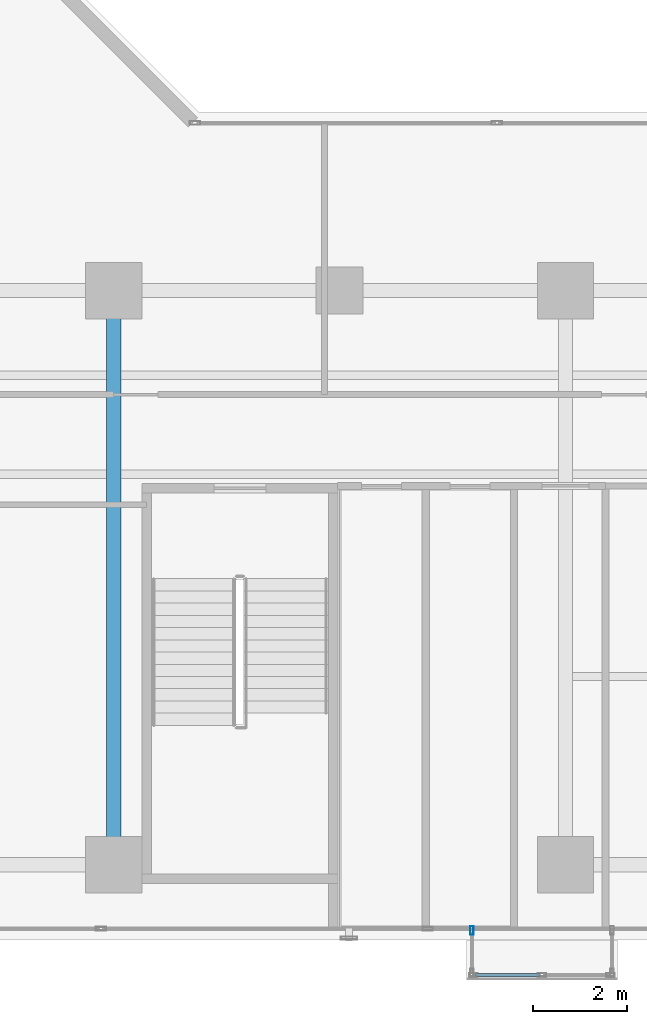
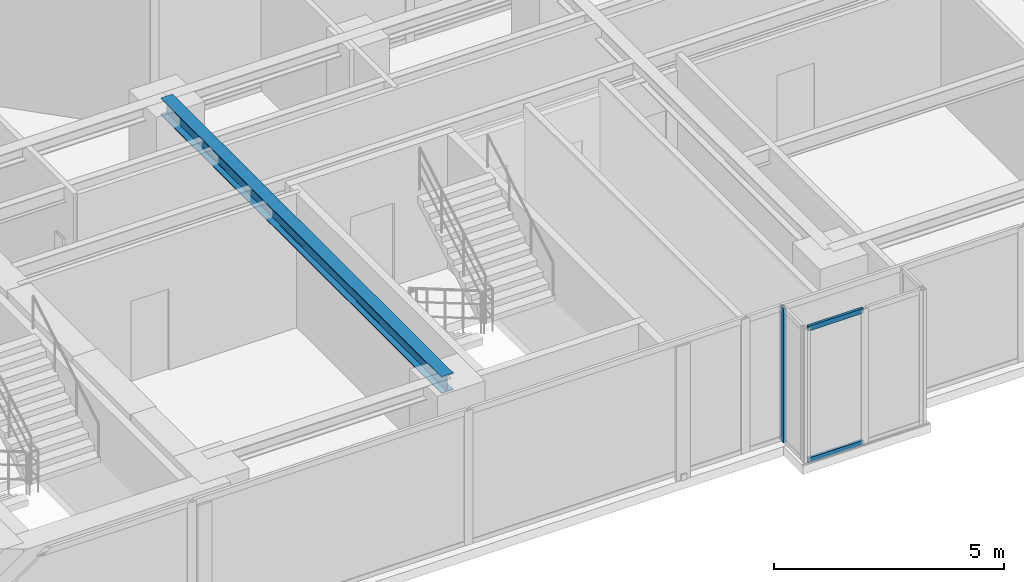
# One storey, part 5 of 27: 3 members, 1 beam, 2 elements without a shape of their own.
"""IFC4 building model written with IfcOpenShell, lengths in metres."""

from ifc_helpers import new_model, si_unit, direction, frame, origin, origin_with_axes, origin_2d, place, context, subcontext, project, spatial, hollow_rectangle, i_section, extrude, source, transform, mapped, material, layer, layer_set, material_profile, profile_set, type_object, element, aggregate, save


model = new_model("IFC4")

# Units and contexts
model_context = context("Model", 3, precision=1e-05, world=origin(), true_north=direction((0.0, 1.0)))
body_context = subcontext(model_context, "Body", "Model", "MODEL_VIEW")
ifc_project = project(units=[si_unit("LENGTHUNIT", "METRE"), si_unit("AREAUNIT", "SQUARE_METRE"), si_unit("VOLUMEUNIT", "CUBIC_METRE"), si_unit("PLANEANGLEUNIT", "RADIAN"), si_unit("MASSUNIT", "GRAM", prefix="KILO")], contexts=[model_context])

# Site, building, storey
site_placement = place(None, origin())
site = spatial("IfcSite", under=ifc_project, at=site_placement, CompositionType="ELEMENT")
building_placement = place(site_placement, origin())
building = spatial("IfcBuilding", under=site, at=building_placement, Name="Kolvaren Waterfront Exchange", CompositionType="ELEMENT")
storey_placement = place(building_placement, frame((0.0, 0.0, 161.39990234375)))
storey = spatial("IfcBuildingStorey", under=building, at=storey_placement, Name="L41", CompositionType="ELEMENT", Elevation=161.39990234375)

# Beam
ifc_material_1 = material(Name="Steel S355", Category="steel")
ifc_material_profile_1 = material_profile(ifc_material_1, i_section(OverallWidth=0.300048828125, OverallDepth=0.449951171875, WebThickness=0.013916015625, FlangeThickness=0.02587890625, FilletRadius=0.027099609375, at=origin_2d()), Name="HEB450")
ifc_profile_set_1 = profile_set([ifc_material_profile_1], Name="Steel S355")
beam_type = type_object("IfcBeamType", Name="STR-BM-HEB450", PredefinedType="BEAM", material=ifc_profile_set_1)
beam_placement = place(storey_placement, frame((27.199951171875, 5.199951171875, 3.335205078125), z_axis=(0.0, 1.0, 0.0), x_axis=(-1.0, 0.0, 0.0)))
element("IfcBeam", 1, at=beam_placement, inside=storey, type_object=beam_type, Name="L41 east-arm transverse girder X27", PredefinedType="BEAM", context=body_context, shape_type="SweptSolid", body=[
    extrude(i_section(OverallWidth=0.300048828125, OverallDepth=0.449951171875, WebThickness=0.013916015625, FlangeThickness=0.02587890625, FilletRadius=0.027099609375, at=origin_2d()), origin(), (0.0, 0.0, 1.0), 12.199951171875),
])

# Curtain wall, members
ifc_material_2 = material(Name="Anodised bronze aluminium 6063-T6", Category="aluminium")
ifc_layer = layer(ifc_material_2, 0.219970703125, Name="Anodised bronze aluminium 6063-T6")
ifc_layer_set = layer_set([ifc_layer], Name="Anodised bronze aluminium 6063-T6")
curtain_wall_type = type_object("IfcCurtainWallType", Name="ARC-CW-SYS3", PredefinedType="USERDEFINED", material=ifc_layer_set)
curtain_wall_1_placement = place(storey_placement, origin())
curtain_wall_1 = element("IfcCurtainWall", 2, at=curtain_wall_1_placement, inside=storey, type_object=curtain_wall_type, Name="L41 stick curtain wall CW3 (CW-L41-BOX)", ObjectType="STICK CURTAIN WALL", PredefinedType="USERDEFINED")
ifc_material_profile_2 = material_profile(ifc_material_2, hollow_rectangle(XDim=0.06494140625, YDim=0.1298828125, WallThickness=0.00390625, at=origin_2d()), Name="ALU-TRN-130x65x4")
ifc_profile_set_2 = profile_set([ifc_material_profile_2], Name="Anodised bronze aluminium 6063-T6")
member_type_1 = type_object("IfcMemberType", Name="ARC-CWT-130", PredefinedType="USERDEFINED", material=ifc_profile_set_2)
shared_shape_1 = source(origin_with_axes(), body_context, "Body", "SweptSolid", [
    extrude(hollow_rectangle(XDim=0.06494140625, YDim=0.1298828125, WallThickness=0.00390625, at=origin_2d()), origin(), (0.0, 0.0, 1.0), 1.37744140625),
])
member_1_placement = place(storey_placement, frame((34.885009765625, 2.860107421875, 0.03271484375), z_axis=(1.0, 0.0, 0.0), x_axis=(0.0, 1.0, 0.0)))
member_1 = element("IfcMember", 3, at=member_1_placement, type_object=member_type_1, Name="CW3 transom 1.1", ObjectType="TRANSOM", PredefinedType="USERDEFINED", context=body_context, shape_type="MappedRepresentation", body=[
    mapped(shared_shape_1, transform((0.0, 0.0, 0.0), x_axis=(1.0, 0.0, 0.0), y_axis=(0.0, 1.0, 0.0), z_axis=(0.0, 0.0, 1.0), scale=1.0)),
])
member_2_placement = place(storey_placement, frame((34.885009765625, 2.860107421875, 3.527587890625), z_axis=(1.0, 0.0, 0.0), x_axis=(0.0, 1.0, 0.0)))
member_2 = element("IfcMember", 4, at=member_2_placement, type_object=member_type_1, Name="CW3 transom 1.2", ObjectType="TRANSOM", PredefinedType="USERDEFINED", context=body_context, shape_type="MappedRepresentation", body=[
    mapped(shared_shape_1, transform((0.0, 0.0, 0.0), x_axis=(1.0, 0.0, 0.0), y_axis=(0.0, 1.0, 0.0), z_axis=(0.0, 0.0, 1.0), scale=1.0)),
])
aggregate(curtain_wall_1, [member_1, member_2])

# Curtain wall, member
curtain_wall_2_placement = place(storey_placement, origin())
curtain_wall_2 = element("IfcCurtainWall", 5, at=curtain_wall_2_placement, inside=storey, type_object=curtain_wall_type, Name="L41 stick curtain wall CW3 (CW-L41-BOX-W)", ObjectType="STICK CURTAIN WALL", PredefinedType="USERDEFINED")
ifc_material_profile_3 = material_profile(ifc_material_2, hollow_rectangle(XDim=0.074951171875, YDim=0.179931640625, WallThickness=0.00439453125, at=origin_2d()), Name="ALU-MUL-180x75x4.5")
ifc_profile_set_3 = profile_set([ifc_material_profile_3], Name="Anodised bronze aluminium 6063-T6")
member_type_2 = type_object("IfcMemberType", Name="ARC-CWM-180", PredefinedType="MULLION", material=ifc_profile_set_3)
shared_shape_2 = source(origin_with_axes(), body_context, "Body", "SweptSolid", [
    extrude(hollow_rectangle(XDim=0.074951171875, YDim=0.179931640625, WallThickness=0.00439453125, at=origin_2d()), origin(), (0.0, 0.0, 1.0), 3.56005859375),
])
member_3_placement = place(storey_placement, frame((34.81005859375, 3.802490234375, 0.0), z_axis=(0.0, 0.0, 1.0), x_axis=(1.0, 0.0, 0.0)))
member_3 = element("IfcMember", 6, at=member_3_placement, type_object=member_type_2, Name="CW3 mullion 1", PredefinedType="MULLION", context=body_context, shape_type="MappedRepresentation", body=[
    mapped(shared_shape_2, transform((0.0, 0.0, 0.0), x_axis=(1.0, 0.0, 0.0), y_axis=(0.0, 1.0, 0.0), z_axis=(0.0, 0.0, 1.0), scale=1.0)),
])
aggregate(curtain_wall_2, [member_3])

save(model, "model.ifc")
